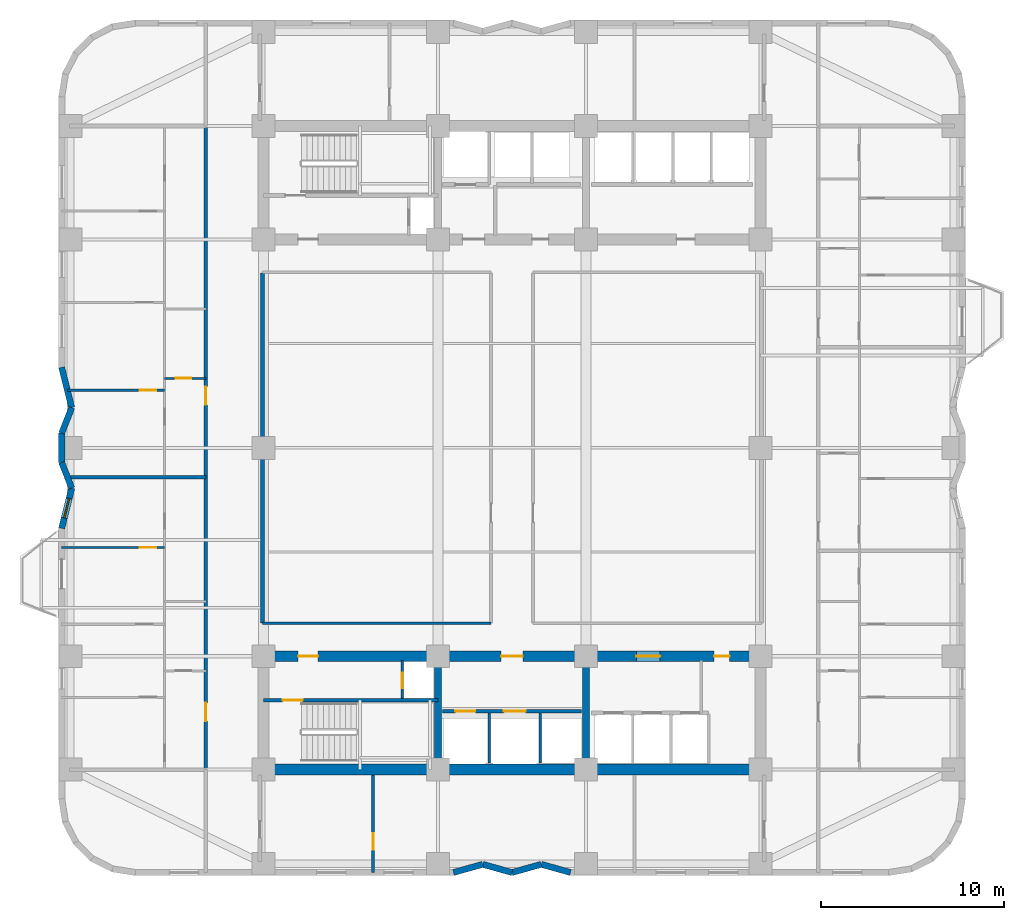
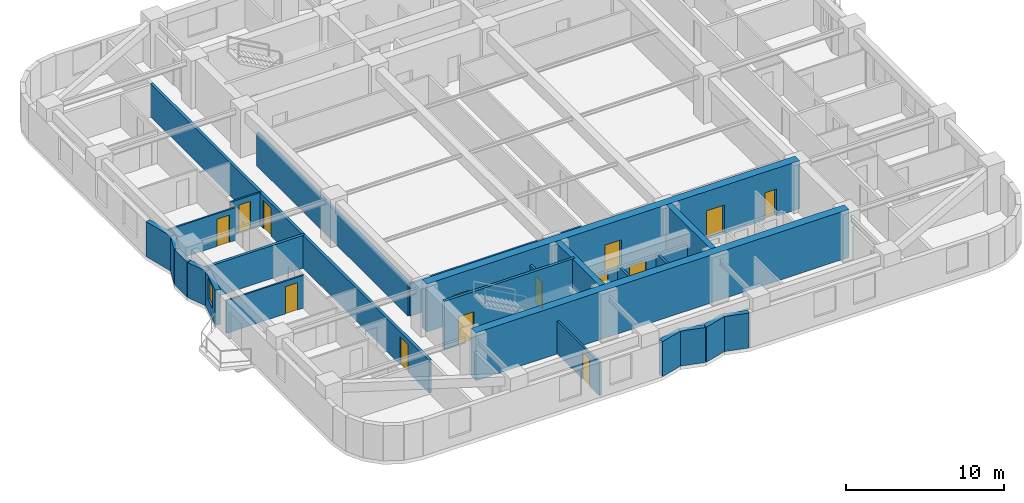
# One storey, part 3 of 9: 26 walls, 14 doors, 1 window, 15 openings.
"""IFC4 building model written with IfcOpenShell, lengths in metres."""

from ifc_helpers import new_model, si_unit, direction, frame, frame_2d, origin, place, context, subcontext, project, spatial, rectangle, extrude, material, layer, layer_set, type_object, element, fill, save


model = new_model("IFC4")

# Units and contexts
model_context = context("Model", 3, precision=1e-05, world=origin(), true_north=direction((0.0, 1.0)))
body_context = subcontext(model_context, "Body", "Model", "MODEL_VIEW")
ifc_project = project(units=[si_unit("LENGTHUNIT", "METRE"), si_unit("AREAUNIT", "SQUARE_METRE"), si_unit("VOLUMEUNIT", "CUBIC_METRE"), si_unit("PLANEANGLEUNIT", "RADIAN"), si_unit("MASSUNIT", "GRAM", prefix="KILO")], contexts=[model_context])

# Site, building, storey
site_placement = place(None, origin())
site = spatial("IfcSite", under=ifc_project, at=site_placement, CompositionType="ELEMENT")
building_placement = place(site_placement, origin())
building = spatial("IfcBuilding", under=site, at=building_placement, Name="Svetorya Sky Lyceum", CompositionType="ELEMENT")
storey_placement = place(building_placement, frame((0.0, 0.0, 28.800048828125)))
storey = spatial("IfcBuildingStorey", under=building, at=storey_placement, Name="L06", CompositionType="ELEMENT", Elevation=28.800048828125)

# Walls
ifc_material_1 = material(Name="Concrete C40/50", Category="concrete")
ifc_layer_1 = layer(ifc_material_1, 0.39990234375)
ifc_layer_set_1 = layer_set([ifc_layer_1], Name="Concrete C40/50")
wall_type_1 = type_object("IfcWallType", Name="WL-CORE-400", PredefinedType="SHEAR", material=ifc_layer_set_1)
for number, where, z_axis, x_axis, name in (
    (1, (35.14990234375, 10.89990234375, 0.0), (0.0, 0.0, 1.0), (0.0, 1.0, 0.0), "L06 SC Internal Shear Web WEB1"),
    (2, (43.25, 10.89990234375, 0.0), (0.0, 0.0, 1.0), (0.0, 1.0, 0.0), "L06 SC Internal Shear Web WEB2"),
):
    element("IfcWall", number, at=place(storey_placement, frame(where, z_axis=z_axis, x_axis=x_axis)), inside=storey, type_object=wall_type_1, Name=name, PredefinedType="SHEAR", context=body_context, shape_type="SweptSolid", body=[
        extrude(rectangle(XDim=5.60009765625, YDim=0.39990234375, at=frame_2d((2.800048828125, 0.0))), origin(), (0.0, 0.0, 1.0), 3.699951171875),
    ])
ifc_material_2 = material(Name="Concrete C60/75", Category="concrete")
ifc_layer_2 = layer(ifc_material_2, 0.60009765625)
ifc_layer_set_2 = layer_set([ifc_layer_2], Name="Concrete C60/75")
wall_type_2 = type_object("IfcWallType", Name="WL-CORE-600", PredefinedType="SHEAR", material=ifc_layer_set_2)
wall_1_placement = place(storey_placement, frame((52.800048828125, 10.60009765625, 0.0), z_axis=(0.0, 0.0, 1.0), x_axis=(-1.0, 0.0, 0.0)))
element("IfcWall", 3, at=wall_1_placement, inside=storey, type_object=wall_type_2, Name="L06 SC Outer Core Shear Wall", PredefinedType="SHEAR", context=body_context, shape_type="SweptSolid", body=[
    extrude(rectangle(XDim=27.199951171875, YDim=0.60009765625, at=frame_2d((13.60009765625, 0.0))), origin(), (0.0, 0.0, 1.0), 3.699951171875),
])

# Wall, openings, doors
wall_2_placement = place(storey_placement, frame((25.60009765625, 16.800048828125, 0.0), z_axis=(0.0, 0.0, 1.0), x_axis=(1.0, 0.0, 0.0)))
wall_2 = element("IfcWall", 4, at=wall_2_placement, inside=storey, type_object=wall_type_2, Name="L06 SC Inner Core Shear Wall", PredefinedType="SHEAR", context=body_context, shape_type="SweptSolid", body=[
    extrude(rectangle(XDim=27.199951171875, YDim=0.60009765625, at=frame_2d((13.60009765625, 0.0))), origin(), (0.0, 0.0, 1.0), 3.699951171875),
])
opening_1_placement = place(wall_2_placement, frame((1.89990234375, 0.0, 0.0)))
opening_1 = element("IfcOpeningElement", 5, at=opening_1_placement, cuts=wall_2, Name="Opening D-ST1", PredefinedType="OPENING", context=body_context, shape_type="SweptSolid", body=[
    extrude(rectangle(XDim=1.10009765625, YDim=2.14990234375, at=frame_2d((0.550048828125, 1.074951171875))), frame((0.0, 0.31005859375, 0.0), z_axis=(0.0, -1.0, 0.0), x_axis=(1.0, 0.0, 0.0)), (0.0, 0.0, 1.0), 0.6201171875),
])
opening_2_placement = place(wall_2_placement, frame((13.0, 0.0, 0.0)))
opening_2 = element("IfcOpeningElement", 6, at=opening_2_placement, cuts=wall_2, Name="Opening D-FL1", PredefinedType="OPENING", context=body_context, shape_type="SweptSolid", body=[
    extrude(rectangle(XDim=1.199951171875, YDim=2.14990234375, at=frame_2d((0.60009765625, 1.074951171875))), frame((0.0, 0.31005859375, 0.0), z_axis=(0.0, -1.0, 0.0), x_axis=(1.0, 0.0, 0.0)), (0.0, 0.0, 1.0), 0.6201171875),
])
opening_3_placement = place(wall_2_placement, frame((20.39990234375, 0.0, 0.0)))
opening_3 = element("IfcOpeningElement", 7, at=opening_3_placement, cuts=wall_2, Name="Opening D-LB1", PredefinedType="OPENING", context=body_context, shape_type="SweptSolid", body=[
    extrude(rectangle(XDim=1.300048828125, YDim=2.199951171875, at=frame_2d((0.64990234375, 1.10009765625))), frame((0.0, 0.31005859375, 0.0), z_axis=(0.0, -1.0, 0.0), x_axis=(1.0, 0.0, 0.0)), (0.0, 0.0, 1.0), 0.6201171875),
])
opening_4_placement = place(wall_2_placement, frame((24.64990234375, 0.0, 0.0)))
opening_4 = element("IfcOpeningElement", 8, at=opening_4_placement, cuts=wall_2, Name="Opening D-CWC1", PredefinedType="OPENING", context=body_context, shape_type="SweptSolid", body=[
    extrude(rectangle(XDim=0.85009765625, YDim=2.10009765625, at=frame_2d((0.425048828125, 1.050048828125))), frame((0.0, 0.31005859375, 0.0), z_axis=(0.0, -1.0, 0.0), x_axis=(1.0, 0.0, 0.0)), (0.0, 0.0, 1.0), 0.6201171875),
])
ifc_material_3 = material(Name="Fire-rated galvanized steel core service closet door", Category="steel")
door_type_1 = type_object("IfcDoorType", Name="DR-CWET-850", OperationType="SINGLE_SWING_LEFT", PredefinedType="DOOR", material=ifc_material_3)
door_1_placement = place(opening_4_placement, origin())
door_1 = element("IfcDoor", 9, at=door_1_placement, inside=storey, type_object=door_type_1, Name="L06 South Core Auxiliary Door", OperationType="SINGLE_SWING_LEFT", OverallHeight=2.10009765625, OverallWidth=0.85009765625, PredefinedType="DOOR", context=body_context, shape_type="SweptSolid", body=[
    extrude(rectangle(XDim=0.85009765625, YDim=2.10009765625, at=frame_2d((0.425048828125, 1.050048828125))), frame((0.0, 0.02490234375, 0.0), z_axis=(0.0, -1.0, 0.0), x_axis=(1.0, 0.0, 0.0)), (0.0, 0.0, 1.0), 0.050048828125),
])
fill(opening_4, door_1)
ifc_material_4 = material(Name="Powder-coated insulated galvanized stair fire door")
door_type_2 = type_object("IfcDoorType", Name="DR-FIRE-1100", OperationType="SINGLE_SWING_LEFT", PredefinedType="DOOR", material=ifc_material_4)
door_2_placement = place(opening_1_placement, origin())
door_2 = element("IfcDoor", 10, at=door_2_placement, inside=storey, type_object=door_type_2, Name="L06 South Stair Airlock Door", OperationType="SINGLE_SWING_RIGHT", OverallHeight=2.14990234375, OverallWidth=1.10009765625, PredefinedType="DOOR", context=body_context, shape_type="SweptSolid", body=[
    extrude(rectangle(XDim=1.10009765625, YDim=2.14990234375, at=frame_2d((0.550048828125, 1.074951171875))), frame((0.0, 0.02490234375, 0.0), z_axis=(0.0, -1.0, 0.0), x_axis=(1.0, 0.0, 0.0)), (0.0, 0.0, 1.0), 0.050048828125),
])
fill(opening_1, door_2)
ifc_material_5 = material(Name="Powder-coated insulated galvanized fire door")
door_type_3 = type_object("IfcDoorType", Name="DR-FIRE-1200", OperationType="SINGLE_SWING_LEFT", PredefinedType="DOOR", material=ifc_material_5)
door_3_placement = place(opening_2_placement, origin())
door_3 = element("IfcDoor", 11, at=door_3_placement, inside=storey, type_object=door_type_3, Name="L06 South Firefighting Lift Lobby Door", OperationType="SINGLE_SWING_LEFT", OverallHeight=2.14990234375, OverallWidth=1.199951171875, PredefinedType="DOOR", context=body_context, shape_type="SweptSolid", body=[
    extrude(rectangle(XDim=1.199951171875, YDim=2.14990234375, at=frame_2d((0.60009765625, 1.074951171875))), frame((0.0, 0.02490234375, 0.0), z_axis=(0.0, -1.0, 0.0), x_axis=(1.0, 0.0, 0.0)), (0.0, 0.0, 1.0), 0.050048828125),
])
fill(opening_2, door_3)
ifc_material_6 = material(Name="Glazed fire-rated aluminium lobby door", Category="aluminium")
door_type_4 = type_object("IfcDoorType", Name="DR-LOB-1300", OperationType="SINGLE_SWING_LEFT", PredefinedType="DOOR", material=ifc_material_6)
door_4_placement = place(opening_3_placement, origin())
door_4 = element("IfcDoor", 12, at=door_4_placement, inside=storey, type_object=door_type_4, Name="L06 Low-Rise Lift Lobby Door", OperationType="SINGLE_SWING_RIGHT", OverallHeight=2.199951171875, OverallWidth=1.300048828125, PredefinedType="DOOR", context=body_context, shape_type="SweptSolid", body=[
    extrude(rectangle(XDim=1.300048828125, YDim=2.199951171875, at=frame_2d((0.64990234375, 1.10009765625))), frame((0.0, 0.02490234375, 0.0), z_axis=(0.0, -1.0, 0.0), x_axis=(1.0, 0.0, 0.0)), (0.0, 0.0, 1.0), 0.050048828125),
])
fill(opening_3, door_4)

# Walls
ifc_material_7 = material(Name="Putilovo limestone rainscreen on autoclaved cellular masonry", Category="masonry")
ifc_layer_3 = layer(ifc_material_7, 0.340087890625)
ifc_layer_set_3 = layer_set([ifc_layer_3], Name="Putilovo limestone rainscreen on autoclaved cellular masonry")
wall_type_3 = type_object("IfcWallType", Name="WL-EXT-340", PredefinedType="SOLIDWALL", material=ifc_layer_set_3)
wall_3_placement = place(storey_placement, frame((36.0, 4.969970703125, 0.0), z_axis=(0.0, 0.0, 1.0), x_axis=(0.962662902433, 0.270703040766, 0.0)))
element("IfcWall", 13, at=wall_3_placement, inside=storey, type_object=wall_type_3, Name="L06 Limestone Exterior Wall 7M", PredefinedType="SOLIDWALL", context=body_context, shape_type="SweptSolid", body=[
    extrude(rectangle(XDim=1.662109375, YDim=0.340087890625, at=frame_2d((0.8310546875, 0.0))), origin(), (0.0, 0.0, 1.0), 2.699951171875),
])
wall_4_placement = place(storey_placement, frame((37.60009765625, 5.419921875, 0.0), z_axis=(0.0, 0.0, 1.0), x_axis=(0.962652136636, -0.270741322725, 0.0)))
element("IfcWall", 14, at=wall_4_placement, inside=storey, type_object=wall_type_3, Name="L06 Limestone Exterior Wall 8M", PredefinedType="SOLIDWALL", context=body_context, shape_type="SweptSolid", body=[
    extrude(rectangle(XDim=1.661865234375, YDim=0.340087890625, at=frame_2d((0.8310546875, 0.0))), origin(), (0.0, 0.0, 1.0), 2.699951171875),
])
wall_5_placement = place(storey_placement, frame((39.199951171875, 4.969970703125, 0.0), z_axis=(0.0, 0.0, 1.0), x_axis=(0.962662902433, 0.270703040766, 0.0)))
element("IfcWall", 15, at=wall_5_placement, inside=storey, type_object=wall_type_3, Name="L06 Limestone Exterior Wall 9M", PredefinedType="SOLIDWALL", context=body_context, shape_type="SweptSolid", body=[
    extrude(rectangle(XDim=1.662109375, YDim=0.340087890625, at=frame_2d((0.8310546875, 0.0))), origin(), (0.0, 0.0, 1.0), 2.699951171875),
])
wall_6_placement = place(storey_placement, frame((40.800048828125, 5.419921875, 0.0), z_axis=(0.0, 0.0, 1.0), x_axis=(0.962652136636, -0.270741322725, 0.0)))
element("IfcWall", 16, at=wall_6_placement, inside=storey, type_object=wall_type_3, Name="L06 Limestone Exterior Wall 10M", PredefinedType="SOLIDWALL", context=body_context, shape_type="SweptSolid", body=[
    extrude(rectangle(XDim=1.661865234375, YDim=0.340087890625, at=frame_2d((0.8310546875, 0.0))), origin(), (0.0, 0.0, 1.0), 2.699951171875),
])
wall_7_placement = place(storey_placement, frame((14.570068359375, 32.60009765625, 0.0), z_axis=(0.0, 0.0, 1.0), x_axis=(0.242535625036, -0.970142500145, 0.0)))
element("IfcWall", 17, at=wall_7_placement, inside=storey, type_object=wall_type_3, Name="L06 Limestone Exterior Wall 41M", PredefinedType="SOLIDWALL", context=body_context, shape_type="SweptSolid", body=[
    extrude(rectangle(XDim=2.267822265625, YDim=0.340087890625, at=frame_2d((1.1337890625, 0.0))), origin(), (0.0, 0.0, 1.0), 2.699951171875),
])
wall_8_placement = place(storey_placement, frame((15.1201171875, 30.39990234375, 0.0), z_axis=(0.0, 0.0, 1.0), x_axis=(-0.365702591843, -0.930731762818, 0.0)))
element("IfcWall", 18, at=wall_8_placement, inside=storey, type_object=wall_type_3, Name="L06 Limestone Exterior Wall 42M", PredefinedType="SOLIDWALL", context=body_context, shape_type="SweptSolid", body=[
    extrude(rectangle(XDim=1.504150390625, YDim=0.340087890625, at=frame_2d((0.751953125, 0.0))), origin(), (0.0, 0.0, 1.0), 2.699951171875),
])
wall_9_placement = place(storey_placement, frame((14.570068359375, 29.0, 0.0), z_axis=(0.0, 0.0, 1.0), x_axis=(0.0, -1.0, 0.0)))
element("IfcWall", 19, at=wall_9_placement, inside=storey, type_object=wall_type_3, Name="L06 Limestone Exterior Wall 43M", PredefinedType="SOLIDWALL", context=body_context, shape_type="SweptSolid", body=[
    extrude(rectangle(XDim=1.60009765625, YDim=0.340087890625, at=frame_2d((0.800048828125, 0.0))), origin(), (0.0, 0.0, 1.0), 2.699951171875),
])
wall_10_placement = place(storey_placement, frame((14.570068359375, 27.39990234375, 0.0), z_axis=(0.0, 0.0, 1.0), x_axis=(0.365702591843, -0.930731762818, 0.0)))
element("IfcWall", 20, at=wall_10_placement, inside=storey, type_object=wall_type_3, Name="L06 Limestone Exterior Wall 44M", PredefinedType="SOLIDWALL", context=body_context, shape_type="SweptSolid", body=[
    extrude(rectangle(XDim=1.504150390625, YDim=0.340087890625, at=frame_2d((0.751953125, 0.0))), origin(), (0.0, 0.0, 1.0), 2.699951171875),
])

# Wall, opening, window
wall_11_placement = place(storey_placement, frame((15.1201171875, 26.0, 0.0), z_axis=(0.0, 0.0, 1.0), x_axis=(-0.242560957029, -0.970136166796, 0.0)))
wall_11 = element("IfcWall", 21, at=wall_11_placement, inside=storey, type_object=wall_type_3, Name="L06 Limestone Exterior Wall 45M", PredefinedType="SOLIDWALL", context=body_context, shape_type="SweptSolid", body=[
    extrude(rectangle(XDim=2.267578125, YDim=0.340087890625, at=frame_2d((1.1337890625, 0.0))), origin(), (0.0, 0.0, 1.0), 2.699951171875),
])
opening_5_placement = place(wall_11_placement, frame((0.583984375, 0.0, 0.889892578125)))
opening_5 = element("IfcOpeningElement", 22, at=opening_5_placement, cuts=wall_11, Name="Opening W-R3", PredefinedType="OPENING", context=body_context, shape_type="SweptSolid", body=[
    extrude(rectangle(XDim=1.10009765625, YDim=1.64990234375, at=frame_2d((0.550048828125, 0.824951171875))), frame((0.0, 0.179931640625, 0.0), z_axis=(0.0, -1.0, 0.0), x_axis=(1.0, 0.0, 0.0)), (0.0, 0.0, 1.0), 0.360107421875),
])
ifc_material_8 = material(Name="Thermally broken aluminium frame with triple low-E glazing", Category="aluminium")
window_type = type_object("IfcWindowType", Name="WN-RES-110", PartitioningType="SINGLE_PANEL", PredefinedType="WINDOW", material=ifc_material_8)
window_placement = place(opening_5_placement, origin())
window = element("IfcWindow", 23, at=window_placement, inside=storey, type_object=window_type, Name="L06 Facade Window W-R3.45M.1", OverallHeight=1.64990234375, OverallWidth=1.10009765625, PartitioningType="SINGLE_PANEL", PredefinedType="WINDOW", context=body_context, shape_type="SweptSolid", body=[
    extrude(rectangle(XDim=1.10009765625, YDim=1.64990234375, at=frame_2d((0.550048828125, 0.824951171875))), frame((0.0, 0.030029296875, 0.0), z_axis=(0.0, -1.0, 0.0), x_axis=(1.0, 0.0, 0.0)), (0.0, 0.0, 1.0), 0.06005859375),
])
fill(opening_5, window)

# Wall, opening, door
ifc_material_9 = material(Name="Twin-stud galvanized framing with double fireboard", Category="gypsum")
ifc_layer_4 = layer(ifc_material_9, 0.1201171875)
ifc_layer_set_4 = layer_set([ifc_layer_4], Name="Twin-stud galvanized framing with double fireboard")
wall_type_4 = type_object("IfcWallType", Name="WL-PART-120", PredefinedType="PARTITIONING", material=ifc_layer_set_4)
wall_12_placement = place(storey_placement, frame((14.570068359375, 22.75, 0.0), z_axis=(0.0, 0.0, 1.0), x_axis=(1.0, 0.0, 0.0)))
wall_12 = element("IfcWall", 24, at=wall_12_placement, inside=storey, type_object=wall_type_4, Name="L06 Interior Partition W1-WL3", PredefinedType="PARTITIONING", context=body_context, shape_type="SweptSolid", body=[
    extrude(rectangle(XDim=5.6298828125, YDim=0.1201171875, at=frame_2d((2.81494140625, 0.0))), origin(), (0.0, 0.0, 1.0), 2.530029296875),
])
opening_6_placement = place(wall_12_placement, frame((4.280029296875, 0.0, 0.0)))
opening_6 = element("IfcOpeningElement", 25, at=opening_6_placement, cuts=wall_12, Name="Opening D-RM1", PredefinedType="OPENING", context=body_context, shape_type="SweptSolid", body=[
    extrude(rectangle(XDim=0.89990234375, YDim=2.10009765625, at=frame_2d((0.449951171875, 1.050048828125))), frame((0.0, 0.070068359375, 0.0), z_axis=(0.0, -1.0, 0.0), x_axis=(1.0, 0.0, 0.0)), (0.0, 0.0, 1.0), 0.14013671875),
])
ifc_material_10 = material(Name="Lacquered birch veneer internal door")
door_type_5 = type_object("IfcDoorType", Name="DR-INT-900", OperationType="SINGLE_SWING_LEFT", PredefinedType="DOOR", material=ifc_material_10)
door_5_placement = place(opening_6_placement, origin())
door_5 = element("IfcDoor", 26, at=door_5_placement, inside=storey, type_object=door_type_5, Name="Apartment W1 Bedroom 3 Door", OperationType="SINGLE_SWING_LEFT", OverallHeight=2.10009765625, OverallWidth=0.89990234375, PredefinedType="DOOR", context=body_context, shape_type="SweptSolid", body=[
    extrude(rectangle(XDim=0.89990234375, YDim=2.10009765625, at=frame_2d((0.449951171875, 1.050048828125))), frame((0.0, 0.02490234375, 0.0), z_axis=(0.0, -1.0, 0.0), x_axis=(1.0, 0.0, 0.0)), (0.0, 0.0, 1.0), 0.050048828125),
])
fill(opening_6, door_5)

wall_13_placement = place(storey_placement, frame((20.199951171875, 32.0, 0.0), z_axis=(0.0, 0.0, 1.0), x_axis=(1.0, 0.0, 0.0)))
wall_13 = element("IfcWall", 27, at=wall_13_placement, inside=storey, type_object=wall_type_4, Name="L06 Interior Partition W2-WH1", PredefinedType="PARTITIONING", context=body_context, shape_type="SweptSolid", body=[
    extrude(rectangle(XDim=2.25, YDim=0.1201171875, at=frame_2d((1.125, 0.0))), origin(), (0.0, 0.0, 1.0), 2.530029296875),
])
opening_7_placement = place(wall_13_placement, frame((0.60009765625, 0.0, 0.0)))
opening_7 = element("IfcOpeningElement", 28, at=opening_7_placement, cuts=wall_13, Name="Opening D-BT1", PredefinedType="OPENING", context=body_context, shape_type="SweptSolid", body=[
    extrude(rectangle(XDim=0.85009765625, YDim=2.10009765625, at=frame_2d((0.425048828125, 1.050048828125))), frame((0.0, 0.070068359375, 0.0), z_axis=(0.0, -1.0, 0.0), x_axis=(1.0, 0.0, 0.0)), (0.0, 0.0, 1.0), 0.14013671875),
])
ifc_material_11 = material(Name="Moisture-resistant laminate bathroom door")
door_type_6 = type_object("IfcDoorType", Name="DR-WET-850", OperationType="SINGLE_SWING_LEFT", PredefinedType="DOOR", material=ifc_material_11)
door_6_placement = place(opening_7_placement, origin())
door_6 = element("IfcDoor", 29, at=door_6_placement, inside=storey, type_object=door_type_6, Name="Apartment W2 Bathroom Door", OperationType="SINGLE_SWING_RIGHT", OverallHeight=2.10009765625, OverallWidth=0.85009765625, PredefinedType="DOOR", context=body_context, shape_type="SweptSolid", body=[
    extrude(rectangle(XDim=0.85009765625, YDim=2.10009765625, at=frame_2d((0.425048828125, 1.050048828125))), frame((0.0, 0.02490234375, 0.0), z_axis=(0.0, -1.0, 0.0), x_axis=(1.0, 0.0, 0.0)), (0.0, 0.0, 1.0), 0.050048828125),
])
fill(opening_7, door_6)

wall_14_placement = place(storey_placement, frame((14.882568359375, 31.35009765625, 0.0), z_axis=(0.0, 0.0, 1.0), x_axis=(1.0, 0.0, 0.0)))
wall_14 = element("IfcWall", 30, at=wall_14_placement, inside=storey, type_object=wall_type_4, Name="L06 Interior Partition W2-WL1", PredefinedType="PARTITIONING", context=body_context, shape_type="SweptSolid", body=[
    extrude(rectangle(XDim=5.3173828125, YDim=0.1201171875, at=frame_2d((2.65869140625, 0.0))), origin(), (0.0, 0.0, 1.0), 2.530029296875),
])
opening_8_placement = place(wall_14_placement, frame((3.967529296875, 0.0, 0.0)))
opening_8 = element("IfcOpeningElement", 31, at=opening_8_placement, cuts=wall_14, Name="Opening D-RM1", PredefinedType="OPENING", context=body_context, shape_type="SweptSolid", body=[
    extrude(rectangle(XDim=0.89990234375, YDim=2.10009765625, at=frame_2d((0.449951171875, 1.050048828125))), frame((0.0, 0.070068359375, 0.0), z_axis=(0.0, -1.0, 0.0), x_axis=(1.0, 0.0, 0.0)), (0.0, 0.0, 1.0), 0.14013671875),
])
door_7_placement = place(opening_8_placement, origin())
door_7 = element("IfcDoor", 32, at=door_7_placement, inside=storey, type_object=door_type_5, Name="Apartment W2 Master Bedroom Door", OperationType="SINGLE_SWING_RIGHT", OverallHeight=2.10009765625, OverallWidth=0.89990234375, PredefinedType="DOOR", context=body_context, shape_type="SweptSolid", body=[
    extrude(rectangle(XDim=0.89990234375, YDim=2.10009765625, at=frame_2d((0.449951171875, 1.050048828125))), frame((0.0, 0.02490234375, 0.0), z_axis=(0.0, -1.0, 0.0), x_axis=(1.0, 0.0, 0.0)), (0.0, 0.0, 1.0), 0.050048828125),
])
fill(opening_8, door_7)

ifc_material_12 = material(Name="Autoclaved cellular masonry blockwork with acoustic render", Category="masonry")
ifc_layer_5 = layer(ifc_material_12, 0.14990234375)
ifc_layer_set_5 = layer_set([ifc_layer_5], Name="Autoclaved cellular masonry blockwork with acoustic render")
wall_type_5 = type_object("IfcWallType", Name="WL-PART-150", PredefinedType="PARTITIONING", material=ifc_layer_set_5)
wall_15_placement = place(storey_placement, frame((33.199951171875, 14.5, 0.0), z_axis=(0.0, 0.0, 1.0), x_axis=(0.0, 1.0, 0.0)))
wall_15 = element("IfcWall", 33, at=wall_15_placement, inside=storey, type_object=wall_type_5, Name="L06 Interior Partition SC-AIRDIV", PredefinedType="PARTITIONING", context=body_context, shape_type="SweptSolid", body=[
    extrude(rectangle(XDim=2.080078125, YDim=0.14990234375, at=frame_2d((1.0400390625, 0.0))), origin(), (0.0, 0.0, 1.0), 2.530029296875),
])
opening_9_placement = place(wall_15_placement, frame((0.550048828125, 0.0, 0.0)))
opening_9 = element("IfcOpeningElement", 34, at=opening_9_placement, cuts=wall_15, Name="Opening D-SH1", PredefinedType="OPENING", context=body_context, shape_type="SweptSolid", body=[
    extrude(rectangle(XDim=0.85009765625, YDim=2.050048828125, at=frame_2d((0.425048828125, 1.02490234375))), frame((0.0, 0.0849609375, 0.0), z_axis=(0.0, -1.0, 0.0), x_axis=(1.0, 0.0, 0.0)), (0.0, 0.0, 1.0), 0.169921875),
])
ifc_material_13 = material(Name="Insulated galvanized riser inspection fire door")
door_type_7 = type_object("IfcDoorType", Name="DR-SHFT-850", OperationType="SINGLE_SWING_LEFT", PredefinedType="TRAPDOOR", material=ifc_material_13)
door_8_placement = place(opening_9_placement, origin())
door_8 = element("IfcDoor", 35, at=door_8_placement, inside=storey, type_object=door_type_7, Name="L06 South Riser Access Door", OperationType="SINGLE_SWING_RIGHT", OverallHeight=2.050048828125, OverallWidth=0.85009765625, PredefinedType="TRAPDOOR", context=body_context, shape_type="SweptSolid", body=[
    extrude(rectangle(XDim=0.85009765625, YDim=2.050048828125, at=frame_2d((0.425048828125, 1.02490234375))), frame((0.0, 0.02490234375, 0.0), z_axis=(0.0, -1.0, 0.0), x_axis=(1.0, 0.0, 0.0)), (0.0, 0.0, 1.0), 0.050048828125),
])
fill(opening_9, door_8)

# Walls
for number, where, z_axis, x_axis, name in (
    (36, (37.949951171875, 10.949951171875, 0.0), (0.0, 0.0, 1.0), (0.0, 1.0, 0.0), "L06 Interior Partition SC-SHD1"),
    (37, (40.75, 10.949951171875, 0.0), (0.0, 0.0, 1.0), (0.0, 1.0, 0.0), "L06 Interior Partition SC-SHD2"),
):
    element("IfcWall", number, at=place(storey_placement, frame(where, z_axis=z_axis, x_axis=x_axis)), inside=storey, type_object=wall_type_5, Name=name, PredefinedType="PARTITIONING", context=body_context, shape_type="SweptSolid", body=[
        extrude(rectangle(XDim=2.75, YDim=0.14990234375, at=frame_2d((1.375, 0.0))), origin(), (0.0, 0.0, 1.0), 2.530029296875),
    ])
wall_16_placement = place(storey_placement, frame((25.550048828125, 18.60009765625, 0.0), z_axis=(0.0, 0.0, 1.0), x_axis=(1.0, 0.0, 0.0)))
element("IfcWall", 38, at=wall_16_placement, inside=storey, type_object=wall_type_5, Name="L06 Interior Partition CS-MID-W", PredefinedType="PARTITIONING", context=body_context, shape_type="SweptSolid", body=[
    extrude(rectangle(XDim=12.5, YDim=0.14990234375, at=frame_2d((6.25, 0.0))), origin(), (0.0, 0.0, 1.0), 2.530029296875),
])

# Wall, opening, door
wall_17_placement = place(storey_placement, frame((31.60009765625, 4.969970703125, 0.0), z_axis=(0.0, 0.0, 1.0), x_axis=(0.0, 1.0, 0.0)))
wall_17 = element("IfcWall", 39, at=wall_17_placement, inside=storey, type_object=wall_type_5, Name="L06 Interior Partition S-D1", PredefinedType="PARTITIONING", context=body_context, shape_type="SweptSolid", body=[
    extrude(rectangle(XDim=5.330078125, YDim=0.14990234375, at=frame_2d((2.6650390625, 0.0))), origin(), (0.0, 0.0, 1.0), 2.530029296875),
])
opening_10_placement = place(wall_17_placement, frame((1.25, 0.0, 0.0)))
opening_10 = element("IfcOpeningElement", 40, at=opening_10_placement, cuts=wall_17, Name="Opening D-RM1", PredefinedType="OPENING", context=body_context, shape_type="SweptSolid", body=[
    extrude(rectangle(XDim=0.89990234375, YDim=2.10009765625, at=frame_2d((0.449951171875, 1.050048828125))), frame((0.0, 0.0849609375, 0.0), z_axis=(0.0, -1.0, 0.0), x_axis=(1.0, 0.0, 0.0)), (0.0, 0.0, 1.0), 0.169921875),
])
door_9_placement = place(opening_10_placement, origin())
door_9 = element("IfcDoor", 41, at=door_9_placement, inside=storey, type_object=door_type_5, Name="L06 South Store Door", OperationType="SINGLE_SWING_LEFT", OverallHeight=2.10009765625, OverallWidth=0.89990234375, PredefinedType="DOOR", context=body_context, shape_type="SweptSolid", body=[
    extrude(rectangle(XDim=0.89990234375, YDim=2.10009765625, at=frame_2d((0.449951171875, 1.050048828125))), frame((0.0, 0.02490234375, 0.0), z_axis=(0.0, -1.0, 0.0), x_axis=(1.0, 0.0, 0.0)), (0.0, 0.0, 1.0), 0.050048828125),
])
fill(opening_10, door_9)

# Wall, openings, doors
ifc_material_14 = material(Name="Autoclaved cellular masonry blockwork with gypsum plaster", Category="masonry")
ifc_layer_6 = layer(ifc_material_14, 0.199951171875)
ifc_layer_set_6 = layer_set([ifc_layer_6], Name="Autoclaved cellular masonry blockwork with gypsum plaster")
wall_type_6 = type_object("IfcWallType", Name="WL-PART-200", PredefinedType="PARTITIONING", material=ifc_layer_set_6)
wall_18_placement = place(storey_placement, frame((35.39990234375, 13.800048828125, 0.0), z_axis=(0.0, 0.0, 1.0), x_axis=(1.0, 0.0, 0.0)))
wall_18 = element("IfcWall", 42, at=wall_18_placement, inside=storey, type_object=wall_type_6, Name="L06 Interior Partition SC-FLW", PredefinedType="PARTITIONING", context=body_context, shape_type="SweptSolid", body=[
    extrude(rectangle(XDim=7.60009765625, YDim=0.199951171875, at=frame_2d((3.800048828125, 0.0))), origin(), (0.0, 0.0, 1.0), 2.300048828125),
])
opening_11_placement = place(wall_18_placement, frame((0.699951171875, 0.0, 0.0)))
opening_11 = element("IfcOpeningElement", 43, at=opening_11_placement, cuts=wall_18, Name="Opening LD-FL", PredefinedType="OPENING", context=body_context, shape_type="SweptSolid", body=[
    extrude(rectangle(XDim=1.10009765625, YDim=2.14990234375, at=frame_2d((0.550048828125, 1.074951171875))), frame((0.0, 0.10986328125, 0.0), z_axis=(0.0, -1.0, 0.0), x_axis=(1.0, 0.0, 0.0)), (0.0, 0.0, 1.0), 0.219970703125),
])
opening_12_placement = place(wall_18_placement, frame((3.35009765625, 0.0, 0.0)))
opening_12 = element("IfcOpeningElement", 44, at=opening_12_placement, cuts=wall_18, Name="Opening LD-SV", PredefinedType="OPENING", context=body_context, shape_type="SweptSolid", body=[
    extrude(rectangle(XDim=1.199951171875, YDim=2.14990234375, at=frame_2d((0.60009765625, 1.074951171875))), frame((0.0, 0.10986328125, 0.0), z_axis=(0.0, -1.0, 0.0), x_axis=(1.0, 0.0, 0.0)), (0.0, 0.0, 1.0), 0.219970703125),
])
ifc_material_15 = material(Name="Fire-rated stainless AISI 304 firefighting lift landing door")
door_type_8 = type_object("IfcDoorType", Name="DR-LIFT-1100", OperationType="SLIDING_TO_LEFT", PredefinedType="DOOR", material=ifc_material_15)
door_10_placement = place(opening_11_placement, origin())
door_10 = element("IfcDoor", 45, at=door_10_placement, inside=storey, type_object=door_type_8, Name="L06 Firefighting Lift FL2 Landing Door", OperationType="SLIDING_TO_LEFT", OverallHeight=2.14990234375, OverallWidth=1.10009765625, PredefinedType="DOOR", context=body_context, shape_type="SweptSolid", body=[
    extrude(rectangle(XDim=1.10009765625, YDim=2.14990234375, at=frame_2d((0.550048828125, 1.074951171875))), frame((0.0, 0.02490234375, 0.0), z_axis=(0.0, -1.0, 0.0), x_axis=(1.0, 0.0, 0.0)), (0.0, 0.0, 1.0), 0.050048828125),
])
fill(opening_11, door_10)
ifc_material_16 = material(Name="Brushed stainless AISI 304 telescopic lift landing door")
door_type_9 = type_object("IfcDoorType", Name="DR-LIFT-1200", OperationType="SLIDING_TO_LEFT", PredefinedType="DOOR", material=ifc_material_16)
door_11_placement = place(opening_12_placement, origin())
door_11 = element("IfcDoor", 46, at=door_11_placement, inside=storey, type_object=door_type_9, Name="L06 Service Lift SVL1 Landing Door", OperationType="SLIDING_TO_LEFT", OverallHeight=2.14990234375, OverallWidth=1.199951171875, PredefinedType="DOOR", context=body_context, shape_type="SweptSolid", body=[
    extrude(rectangle(XDim=1.199951171875, YDim=2.14990234375, at=frame_2d((0.60009765625, 1.074951171875))), frame((0.0, 0.02490234375, 0.0), z_axis=(0.0, -1.0, 0.0), x_axis=(1.0, 0.0, 0.0)), (0.0, 0.0, 1.0), 0.050048828125),
])
fill(opening_12, door_11)

# Walls
wall_19_placement = place(storey_placement, frame((25.550048828125, 18.6298828125, 0.0), z_axis=(0.0, 0.0, 1.0), x_axis=(0.0, 1.0, 0.0)))
element("IfcWall", 47, at=wall_19_placement, inside=storey, type_object=wall_type_6, Name="L06 Interior Partition W-CEN-SEP", PredefinedType="PARTITIONING", context=body_context, shape_type="SweptSolid", body=[
    extrude(rectangle(XDim=19.14013671875, YDim=0.199951171875, at=frame_2d((9.570068359375, 0.0))), origin(), (0.0, 0.0, 1.0), 2.530029296875),
])
wall_20_placement = place(storey_placement, frame((14.88427734375, 26.60009765625, 0.0), z_axis=(0.0, 0.0, 1.0), x_axis=(1.0, 0.0, 0.0)))
element("IfcWall", 48, at=wall_20_placement, inside=storey, type_object=wall_type_6, Name="L06 Interior Partition W-PARTY-1", PredefinedType="PARTITIONING", context=body_context, shape_type="SweptSolid", body=[
    extrude(rectangle(XDim=7.565673828125, YDim=0.199951171875, at=frame_2d((3.78271484375, 0.0))), origin(), (0.0, 0.0, 1.0), 2.530029296875),
])

# Wall, openings, doors
wall_21_placement = place(storey_placement, frame((22.449951171875, 10.60009765625, 0.0), z_axis=(0.0, 0.0, 1.0), x_axis=(0.0, 1.0, 0.0)))
wall_21 = element("IfcWall", 49, at=wall_21_placement, inside=storey, type_object=wall_type_6, Name="L06 Interior Partition W-CORRW", PredefinedType="PARTITIONING", context=body_context, shape_type="SweptSolid", body=[
    extrude(rectangle(XDim=35.199951171875, YDim=0.199951171875, at=frame_2d((17.60009765625, 0.0))), origin(), (0.0, 0.0, 1.0), 2.530029296875),
])
opening_13_placement = place(wall_21_placement, frame((2.64990234375, 0.0, 0.0)))
opening_13 = element("IfcOpeningElement", 50, at=opening_13_placement, cuts=wall_21, Name="Opening D-APT1", PredefinedType="OPENING", context=body_context, shape_type="SweptSolid", body=[
    extrude(rectangle(XDim=1.0, YDim=2.14990234375, at=frame_2d((0.5, 1.074951171875))), frame((0.0, 0.10986328125, 0.0), z_axis=(0.0, -1.0, 0.0), x_axis=(1.0, 0.0, 0.0)), (0.0, 0.0, 1.0), 0.219970703125),
])
opening_14_placement = place(wall_21_placement, frame((19.949951171875, 0.0, 0.0)))
opening_14 = element("IfcOpeningElement", 51, at=opening_14_placement, cuts=wall_21, Name="Opening D-APT1", PredefinedType="OPENING", context=body_context, shape_type="SweptSolid", body=[
    extrude(rectangle(XDim=1.0, YDim=2.14990234375, at=frame_2d((0.5, 1.074951171875))), frame((0.0, 0.10986328125, 0.0), z_axis=(0.0, -1.0, 0.0), x_axis=(1.0, 0.0, 0.0)), (0.0, 0.0, 1.0), 0.219970703125),
])
ifc_material_17 = material(Name="Insulated oak-veneered apartment entrance door")
door_type_10 = type_object("IfcDoorType", Name="DR-APT-1000", OperationType="SINGLE_SWING_LEFT", PredefinedType="DOOR", material=ifc_material_17)
door_12_placement = place(opening_13_placement, origin())
door_12 = element("IfcDoor", 52, at=door_12_placement, inside=storey, type_object=door_type_10, Name="L06 Apartment W1 Entrance Door", OperationType="SINGLE_SWING_LEFT", OverallHeight=2.14990234375, OverallWidth=1.0, PredefinedType="DOOR", context=body_context, shape_type="SweptSolid", body=[
    extrude(rectangle(XDim=1.0, YDim=2.14990234375, at=frame_2d((0.5, 1.074951171875))), frame((0.0, 0.02490234375, 0.0), z_axis=(0.0, -1.0, 0.0), x_axis=(1.0, 0.0, 0.0)), (0.0, 0.0, 1.0), 0.050048828125),
])
fill(opening_13, door_12)
door_13_placement = place(opening_14_placement, origin())
door_13 = element("IfcDoor", 53, at=door_13_placement, inside=storey, type_object=door_type_10, Name="L06 Apartment W2 Entrance Door", OperationType="SINGLE_SWING_RIGHT", OverallHeight=2.14990234375, OverallWidth=1.0, PredefinedType="DOOR", context=body_context, shape_type="SweptSolid", body=[
    extrude(rectangle(XDim=1.0, YDim=2.14990234375, at=frame_2d((0.5, 1.074951171875))), frame((0.0, 0.02490234375, 0.0), z_axis=(0.0, -1.0, 0.0), x_axis=(1.0, 0.0, 0.0)), (0.0, 0.0, 1.0), 0.050048828125),
])
fill(opening_14, door_13)

# Wall, opening, door
ifc_material_18 = material(Name="Concrete C50/60", Category="concrete")
ifc_layer_7 = layer(ifc_material_18, 0.199951171875)
ifc_layer_set_7 = layer_set([ifc_layer_7], Name="Concrete C50/60")
wall_type_7 = type_object("IfcWallType", Name="WL-SHW-200", PredefinedType="SHEAR", material=ifc_layer_set_7)
wall_22_placement = place(storey_placement, frame((25.60009765625, 14.39990234375, 0.0), z_axis=(0.0, 0.0, 1.0), x_axis=(1.0, 0.0, 0.0)))
wall_22 = element("IfcWall", 54, at=wall_22_placement, inside=storey, type_object=wall_type_7, Name="L06 Structural Stair Shaft Wall SC-STW", PredefinedType="SHEAR", context=body_context, shape_type="SweptSolid", body=[
    extrude(rectangle(XDim=9.5498046875, YDim=0.199951171875, at=frame_2d((4.77490234375, 0.0))), origin(), (0.0, 0.0, 1.0), 3.699951171875),
])
opening_15_placement = place(wall_22_placement, frame((1.050048828125, 0.0, 0.0)))
opening_15 = element("IfcOpeningElement", 55, at=opening_15_placement, cuts=wall_22, Name="Opening D-ST1", PredefinedType="OPENING", context=body_context, shape_type="SweptSolid", body=[
    extrude(rectangle(XDim=1.10009765625, YDim=2.14990234375, at=frame_2d((0.550048828125, 1.074951171875))), frame((0.0, 0.10986328125, 0.0), z_axis=(0.0, -1.0, 0.0), x_axis=(1.0, 0.0, 0.0)), (0.0, 0.0, 1.0), 0.219970703125),
])
door_14_placement = place(opening_15_placement, origin())
door_14 = element("IfcDoor", 56, at=door_14_placement, inside=storey, type_object=door_type_2, Name="L06 Stair ST-S Vestibule Fire Door", OperationType="SINGLE_SWING_LEFT", OverallHeight=2.14990234375, OverallWidth=1.10009765625, PredefinedType="DOOR", context=body_context, shape_type="SweptSolid", body=[
    extrude(rectangle(XDim=1.10009765625, YDim=2.14990234375, at=frame_2d((0.550048828125, 1.074951171875))), frame((0.0, 0.02490234375, 0.0), z_axis=(0.0, -1.0, 0.0), x_axis=(1.0, 0.0, 0.0)), (0.0, 0.0, 1.0), 0.050048828125),
])
fill(opening_15, door_14)

save(model, "model.ifc")
